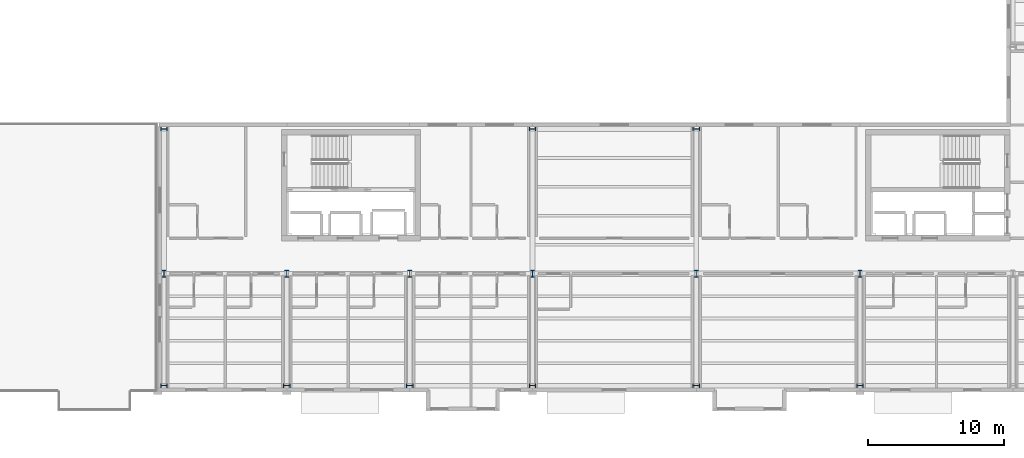
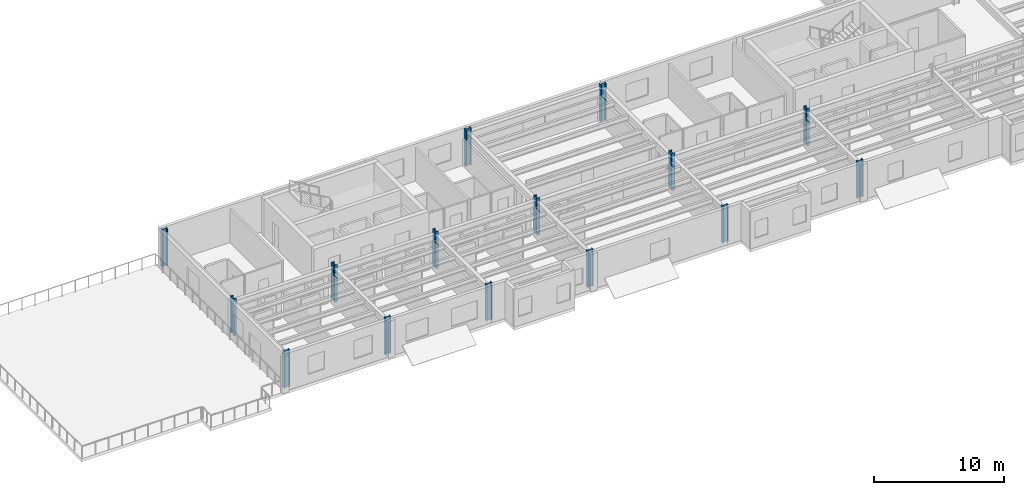
# One storey, part 1 of 17: 15 columns.
"""IFC4 building model written with IfcOpenShell, lengths in metres."""

from ifc_helpers import new_model, si_unit, direction, frame, origin, origin_2d, place, context, subcontext, project, spatial, i_section, extrude, material, material_profile, profile_set, type_object, element, save


model = new_model("IFC4")

# Units and contexts
model_context = context("Model", 3, precision=1e-05, world=origin(), true_north=direction((0.0, 1.0)))
body_context = subcontext(model_context, "Body", "Model", "MODEL_VIEW")
ifc_project = project(units=[si_unit("LENGTHUNIT", "METRE"), si_unit("AREAUNIT", "SQUARE_METRE"), si_unit("VOLUMEUNIT", "CUBIC_METRE"), si_unit("PLANEANGLEUNIT", "RADIAN"), si_unit("MASSUNIT", "GRAM", prefix="KILO")], contexts=[model_context])

# Site, building, storey
site_placement = place(None, origin())
site = spatial("IfcSite", under=ifc_project, at=site_placement, CompositionType="ELEMENT")
building_placement = place(site_placement, origin())
building = spatial("IfcBuilding", under=site, at=building_placement, Name="Sollismere Congress Hotel", CompositionType="ELEMENT")
storey_placement = place(building_placement, frame((0.0, 0.0, 41.10009765625)))
storey = spatial("IfcBuildingStorey", under=building, at=storey_placement, Name="L10", CompositionType="ELEMENT", Elevation=41.10009765625)

# Columns
ifc_material = material(Name="Steel ASTM A992 Grade 50", Category="steel")
ifc_material_profile = material_profile(ifc_material, i_section(OverallWidth=0.283935546875, OverallDepth=0.4951171875, WebThickness=0.0185546875, FlangeThickness=0.033447265625, at=origin_2d()), Name="W18X143")
ifc_profile_set = profile_set([ifc_material_profile], Name="Steel ASTM A992 Grade 50")
column_type = type_object("IfcColumnType", Name="COL-W18", PredefinedType="COLUMN", material=ifc_profile_set)
for number, where, z_axis, x_axis, name in (
    (1, (85.0, 0.0, 0.0), (0.0, 0.0, 1.0), (0.0, 1.0, 0.0), "Column CL-L10-404"),
    (2, (85.0, 8.199951171875, 0.0), (0.0, 0.0, 1.0), (1.0, 0.0, 0.0), "Column CL-L10-417"),
    (3, (85.0, 18.800048828125, 0.0), (0.0, 0.0, 1.0), (0.0, 1.0, 0.0), "Column CL-L10-430"),
    (4, (94.0, 0.0, 0.0), (0.0, 0.0, 1.0), (0.0, 1.0, 0.0), "Column CL-L10-463"),
    (5, (94.0, 8.199951171875, 0.0), (0.0, 0.0, 1.0), (1.0, 0.0, 0.0), "Column CL-L10-476"),
    (6, (103.0, 0.0, 0.0), (0.0, 0.0, 1.0), (0.0, 1.0, 0.0), "Column CL-L10-521"),
    (7, (103.0, 8.199951171875, 0.0), (0.0, 0.0, 1.0), (1.0, 0.0, 0.0), "Column CL-L10-534"),
    (8, (112.0, 0.0, 0.0), (0.0, 0.0, 1.0), (0.0, 1.0, 0.0), "Column CL-L10-579"),
    (9, (112.0, 8.199951171875, 0.0), (0.0, 0.0, 1.0), (1.0, 0.0, 0.0), "Column CL-L10-592"),
    (10, (112.0, 18.800048828125, 0.0), (0.0, 0.0, 1.0), (0.0, 1.0, 0.0), "Column CL-L10-605"),
    (11, (124.0, 0.0, 0.0), (0.0, 0.0, 1.0), (0.0, 1.0, 0.0), "Column CL-L10-657"),
    (12, (124.0, 8.199951171875, 0.0), (0.0, 0.0, 1.0), (1.0, 0.0, 0.0), "Column CL-L10-670"),
    (13, (124.0, 18.800048828125, 0.0), (0.0, 0.0, 1.0), (0.0, 1.0, 0.0), "Column CL-L10-683"),
    (14, (136.0, 0.0, 0.0), (0.0, 0.0, 1.0), (0.0, 1.0, 0.0), "Column CL-L10-738"),
    (15, (136.0, 8.199951171875, 0.0), (0.0, 0.0, 1.0), (1.0, 0.0, 0.0), "Column CL-L10-751"),
):
    element("IfcColumn", number, at=place(storey_placement, frame(where, z_axis=z_axis, x_axis=x_axis)), inside=storey, type_object=column_type, Name=name, PredefinedType="COLUMN", context=body_context, shape_type="SweptSolid", body=[
        extrude(i_section(OverallWidth=0.283935546875, OverallDepth=0.4951171875, WebThickness=0.0185546875, FlangeThickness=0.033447265625, at=origin_2d()), origin(), (0.0, 0.0, 1.0), 3.5),
    ])

save(model, "model.ifc")
